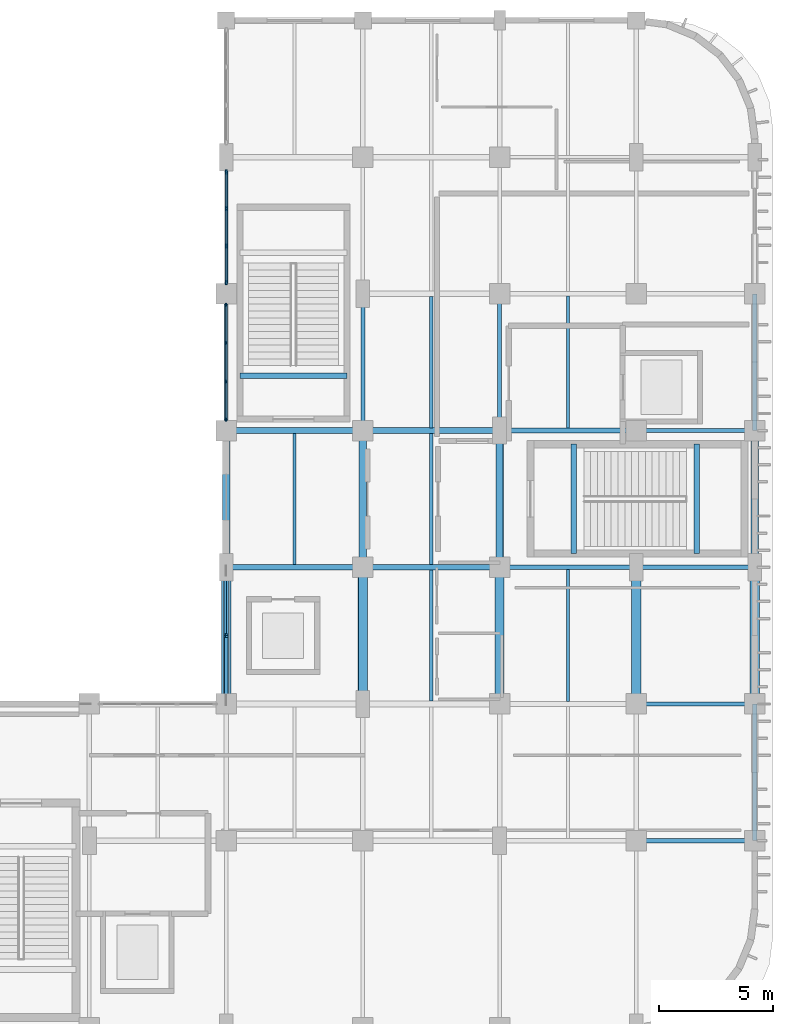
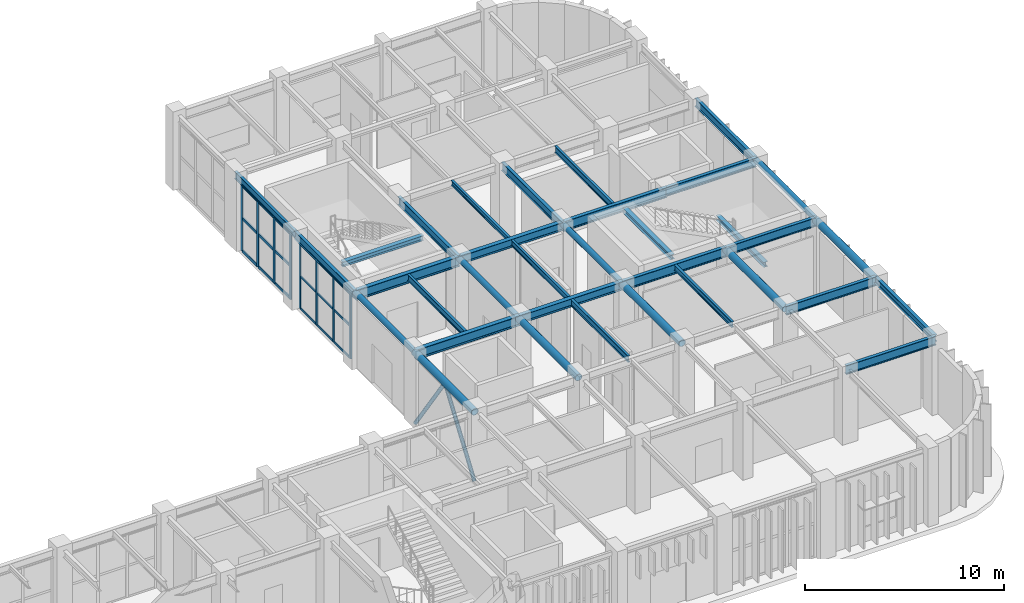
# One storey, part 30 of 76: 34 beams, 28 members, 2 elements without a shape of their own.
"""IFC4 building model written with IfcOpenShell, lengths in metres."""

from ifc_helpers import new_model, si_unit, direction, frame, origin, origin_2d, place, context, subcontext, project, spatial, rectangle, hollow_circle, i_section, extrude, material, material_profile, profile_set, type_object, element, aggregate, save


model = new_model("IFC4")

# Units and contexts
model_context = context("Model", 3, precision=1e-05, world=origin(), true_north=direction((0.0, 1.0)))
body_context = subcontext(model_context, "Body", "Model", "MODEL_VIEW")
ifc_project = project(units=[si_unit("LENGTHUNIT", "METRE"), si_unit("AREAUNIT", "SQUARE_METRE"), si_unit("VOLUMEUNIT", "CUBIC_METRE"), si_unit("PLANEANGLEUNIT", "RADIAN"), si_unit("MASSUNIT", "GRAM", prefix="KILO")], contexts=[model_context])

# Site, building, storey
site_placement = place(None, origin())
site = spatial("IfcSite", under=ifc_project, at=site_placement, CompositionType="ELEMENT")
building_placement = place(site_placement, origin())
building = spatial("IfcBuilding", under=site, at=building_placement, Name="Varnakota Square Police Headquarters", CompositionType="ELEMENT")
storey_placement = place(building_placement, origin())
storey = spatial("IfcBuildingStorey", under=building, at=storey_placement, Name="L00", CompositionType="ELEMENT", Elevation=0.0)

# Beams
ifc_material_1 = material(Name="Steel IS 2062 Grade 350", Category="steel")
ifc_material_profile_1 = material_profile(ifc_material_1, hollow_circle(Radius=0.161865234375, WallThickness=0.0126953125, at=origin_2d()), Name="CHS 323.9x12.7")
ifc_profile_set_1 = profile_set([ifc_material_profile_1], Name="Steel IS 2062 Grade 350")
beam_type_1 = type_object("IfcBeamType", Name="BM-ARC-CHS324", PredefinedType="BEAM", material=ifc_profile_set_1)
for number, where, z_axis, x_axis, name in (
    (1, (138.0, 21.0, 4.337890625), (0.0, 1.0, 0.0), (-1.0, 0.0, 0.0), "BMG-L00-1120"),
    (2, (144.0, 21.0, 4.337890625), (0.0, 1.0, 0.0), (-1.0, 0.0, 0.0), "BMG-L00-1134"),
    (3, (150.0, 21.0, 4.337890625), (0.0, 1.0, 0.0), (-1.0, 0.0, 0.0), "BMG-L00-1148"),
    (4, (161.199951171875, 21.0, 4.337890625), (0.0, 1.0, 0.0), (-1.0, 0.0, 0.0), "BMG-L00-1170"),
):
    element("IfcBeam", number, at=place(storey_placement, frame(where, z_axis=z_axis, x_axis=x_axis)), inside=storey, type_object=beam_type_1, Name=name, PredefinedType="BEAM", context=body_context, shape_type="SweptSolid", body=[
        extrude(hollow_circle(Radius=0.161865234375, WallThickness=0.0126953125, at=origin_2d()), origin(), (0.0, 0.0, 1.0), 6.0),
    ])
ifc_material_profile_2 = material_profile(ifc_material_1, hollow_circle(Radius=0.203125, WallThickness=0.01611328125, at=origin_2d()), Name="CHS 406.4x16.0")
ifc_profile_set_2 = profile_set([ifc_material_profile_2], Name="Steel IS 2062 Grade 350")
beam_type_2 = type_object("IfcBeamType", Name="BM-ARC-CHS406", PredefinedType="BEAM", material=ifc_profile_set_2)
for number, where, z_axis, x_axis, name in (
    (5, (138.0, 15.0, 4.296875), (0.0, 1.0, 0.0), (-1.0, 0.0, 0.0), "BMG-L00-1119"),
    (6, (144.0, 15.0, 4.296875), (0.0, 1.0, 0.0), (-1.0, 0.0, 0.0), "BMG-L00-1133"),
    (7, (150.0, 15.0, 4.296875), (0.0, 1.0, 0.0), (-1.0, 0.0, 0.0), "BMG-L00-1147"),
    (8, (156.0, 15.0, 4.296875), (0.0, 1.0, 0.0), (-1.0, 0.0, 0.0), "BMG-L00-1158"),
    (9, (161.199951171875, 15.0, 4.296875), (0.0, 1.0, 0.0), (-1.0, 0.0, 0.0), "BMG-L00-1169"),
):
    element("IfcBeam", number, at=place(storey_placement, frame(where, z_axis=z_axis, x_axis=x_axis)), inside=storey, type_object=beam_type_2, Name=name, PredefinedType="BEAM", context=body_context, shape_type="SweptSolid", body=[
        extrude(hollow_circle(Radius=0.203125, WallThickness=0.01611328125, at=origin_2d()), origin(), (0.0, 0.0, 1.0), 6.0),
    ])
ifc_material_profile_3 = material_profile(ifc_material_1, i_section(OverallWidth=0.25, OverallDepth=0.300048828125, WebThickness=0.009521484375, FlangeThickness=0.010498046875, FilletRadius=0.011962890625, at=origin_2d()), Name="ISHB 300")
ifc_profile_set_3 = profile_set([ifc_material_profile_3], Name="Steel IS 2062 Grade 350")
beam_type_3 = type_object("IfcBeamType", Name="BM-ISHB300", PredefinedType="BEAM", material=ifc_profile_set_3)
for number, where, z_axis, x_axis, name in (
    (10, (158.650634765625, 21.60009765625, 2.083984375), (0.0, 1.0, 0.0), (-1.0, 0.0, 0.0), "Stair landing support beam BM-LND-0016"),
    (11, (153.25, 21.60009765625, 4.429931640625), (0.0, 1.0, 0.0), (-1.0, 0.0, 0.0), "Stair landing support beam BM-LND-0017"),
):
    element("IfcBeam", number, at=place(storey_placement, frame(where, z_axis=z_axis, x_axis=x_axis)), inside=storey, type_object=beam_type_3, Name=name, PredefinedType="BEAM", context=body_context, shape_type="SweptSolid", body=[
        extrude(i_section(OverallWidth=0.25, OverallDepth=0.300048828125, WebThickness=0.009521484375, FlangeThickness=0.010498046875, FilletRadius=0.011962890625, at=origin_2d()), origin(), (0.0, 0.0, 1.0), 4.7998046875),
    ])
beam_1_placement = place(storey_placement, frame((138.60009765625, 29.400146484375, 4.429931640625), z_axis=(1.0, 0.0, 0.0), x_axis=(0.0, 1.0, 0.0)))
element("IfcBeam", 12, at=beam_1_placement, inside=storey, type_object=beam_type_3, Name="Stair landing support beam BM-LND-0032", PredefinedType="BEAM", context=body_context, shape_type="SweptSolid", body=[
    extrude(i_section(OverallWidth=0.25, OverallDepth=0.300048828125, WebThickness=0.009521484375, FlangeThickness=0.010498046875, FilletRadius=0.011962890625, at=origin_2d()), origin(), (0.0, 0.0, 1.0), 4.699951171875),
])
ifc_material_profile_4 = material_profile(ifc_material_1, i_section(OverallWidth=0.139892578125, OverallDepth=0.300048828125, WebThickness=0.0078125, FlangeThickness=0.01318359375, FilletRadius=0.013916015625, at=origin_2d()), Name="ISMB 300")
ifc_profile_set_4 = profile_set([ifc_material_profile_4], Name="Steel IS 2062 Grade 350")
beam_type_4 = type_object("IfcBeamType", Name="BM-ISMB300", PredefinedType="JOIST", material=ifc_profile_set_4)
beam_2_placement = place(storey_placement, frame((147.0, 27.123046875, 4.35009765625), z_axis=(0.0, 1.0, 0.0), x_axis=(-1.0, 0.0, 0.0)))
element("IfcBeam", 13, at=beam_2_placement, inside=storey, type_object=beam_type_4, Name="BMG-L00-1291", PredefinedType="JOIST", context=body_context, shape_type="SweptSolid", body=[
    extrude(i_section(OverallWidth=0.139892578125, OverallDepth=0.300048828125, WebThickness=0.0078125, FlangeThickness=0.01318359375, FilletRadius=0.013916015625, at=origin_2d()), origin(), (0.0, 0.0, 1.0), 5.75390625),
])
ifc_material_profile_5 = material_profile(ifc_material_1, i_section(OverallWidth=0.139892578125, OverallDepth=0.35009765625, WebThickness=0.008056640625, FlangeThickness=0.01416015625, FilletRadius=0.013916015625, at=origin_2d()), Name="ISMB 350")
ifc_profile_set_5 = profile_set([ifc_material_profile_5], Name="Steel IS 2062 Grade 350")
beam_type_5 = type_object("IfcBeamType", Name="BM-ISMB350", PredefinedType="JOIST", material=ifc_profile_set_5)
beam_3_placement = place(storey_placement, frame((147.0, 21.123046875, 4.324951171875), z_axis=(0.0, 1.0, 0.0), x_axis=(-1.0, 0.0, 0.0)))
element("IfcBeam", 14, at=beam_3_placement, inside=storey, type_object=beam_type_5, Name="BMG-L00-1290", PredefinedType="JOIST", context=body_context, shape_type="SweptSolid", body=[
    extrude(i_section(OverallWidth=0.139892578125, OverallDepth=0.35009765625, WebThickness=0.008056640625, FlangeThickness=0.01416015625, FilletRadius=0.013916015625, at=origin_2d()), origin(), (0.0, 0.0, 1.0), 5.75390625),
])
beam_4_placement = place(storey_placement, frame((153.0, 15.10302734375, 4.324951171875), z_axis=(0.0, 1.0, 0.0), x_axis=(-1.0, 0.0, 0.0)))
element("IfcBeam", 15, at=beam_4_placement, inside=storey, type_object=beam_type_5, Name="BMG-L00-1299", PredefinedType="JOIST", context=body_context, shape_type="SweptSolid", body=[
    extrude(i_section(OverallWidth=0.139892578125, OverallDepth=0.35009765625, WebThickness=0.008056640625, FlangeThickness=0.01416015625, FilletRadius=0.013916015625, at=origin_2d()), origin(), (0.0, 0.0, 1.0), 5.7939453125),
])
ifc_material_profile_6 = material_profile(ifc_material_1, i_section(OverallWidth=0.139892578125, OverallDepth=0.39990234375, WebThickness=0.0087890625, FlangeThickness=0.01611328125, FilletRadius=0.013916015625, at=origin_2d()), Name="ISMB 400")
ifc_profile_set_6 = profile_set([ifc_material_profile_6], Name="Steel IS 2062 Grade 350")
beam_type_6 = type_object("IfcBeamType", Name="BM-ISMB400", PredefinedType="JOIST", material=ifc_profile_set_6)
for number, where, z_axis, x_axis, name in (
    (16, (141.0, 21.123046875, 4.300048828125), (0.0, 1.0, 0.0), (-1.0, 0.0, 0.0), "BMG-L00-1280"),
    (17, (147.0, 15.123046875, 4.300048828125), (0.0, 1.0, 0.0), (-1.0, 0.0, 0.0), "BMG-L00-1289"),
):
    element("IfcBeam", number, at=place(storey_placement, frame(where, z_axis=z_axis, x_axis=x_axis)), inside=storey, type_object=beam_type_6, Name=name, PredefinedType="JOIST", context=body_context, shape_type="SweptSolid", body=[
        extrude(i_section(OverallWidth=0.139892578125, OverallDepth=0.39990234375, WebThickness=0.0087890625, FlangeThickness=0.01611328125, FilletRadius=0.013916015625, at=origin_2d()), origin(), (0.0, 0.0, 1.0), 5.75390625),
    ])
beam_5_placement = place(storey_placement, frame((153.0, 27.10302734375, 4.300048828125), z_axis=(0.0, 1.0, 0.0), x_axis=(-1.0, 0.0, 0.0)))
element("IfcBeam", 18, at=beam_5_placement, inside=storey, type_object=beam_type_6, Name="BMG-L00-1300", PredefinedType="JOIST", context=body_context, shape_type="SweptSolid", body=[
    extrude(i_section(OverallWidth=0.139892578125, OverallDepth=0.39990234375, WebThickness=0.0087890625, FlangeThickness=0.01611328125, FilletRadius=0.013916015625, at=origin_2d()), origin(), (0.0, 0.0, 1.0), 5.7939453125),
])
ifc_material_profile_7 = material_profile(ifc_material_1, i_section(OverallWidth=0.14990234375, OverallDepth=0.449951171875, WebThickness=0.009521484375, FlangeThickness=0.017333984375, FilletRadius=0.014892578125, at=origin_2d()), Name="ISMB 450")
ifc_profile_set_7 = profile_set([ifc_material_profile_7], Name="Steel IS 2062 Grade 350")
beam_type_7 = type_object("IfcBeamType", Name="BM-ISMB450", PredefinedType="BEAM", material=ifc_profile_set_7)
beam_6_placement = place(storey_placement, frame((138.0, 33.0, 4.27490234375), z_axis=(0.0, 1.0, 0.0), x_axis=(-1.0, 0.0, 0.0)))
element("IfcBeam", 19, at=beam_6_placement, inside=storey, type_object=beam_type_7, Name="BMG-L00-1122", PredefinedType="BEAM", context=body_context, shape_type="SweptSolid", body=[
    extrude(i_section(OverallWidth=0.14990234375, OverallDepth=0.449951171875, WebThickness=0.009521484375, FlangeThickness=0.017333984375, FilletRadius=0.014892578125, at=origin_2d()), origin(), (0.0, 0.0, 1.0), 6.0),
])
ifc_material_profile_8 = material_profile(ifc_material_1, i_section(OverallWidth=0.179931640625, OverallDepth=0.5, WebThickness=0.01025390625, FlangeThickness=0.01708984375, FilletRadius=0.01708984375, at=origin_2d()), Name="ISMB 500")
ifc_profile_set_8 = profile_set([ifc_material_profile_8], Name="Steel IS 2062 Grade 350")
beam_type_8 = type_object("IfcBeamType", Name="BM-ISMB500", PredefinedType="BEAM", material=ifc_profile_set_8)
for number, where, z_axis, x_axis, name in (
    (20, (138.0, 27.0, 4.25), (0.0, 1.0, 0.0), (-1.0, 0.0, 0.0), "BMG-L00-1121"),
    (21, (144.0, 27.0, 4.25), (0.0, 1.0, 0.0), (-1.0, 0.0, 0.0), "BMG-L00-1135"),
    (22, (150.0, 27.0, 4.25), (0.0, 1.0, 0.0), (-1.0, 0.0, 0.0), "BMG-L00-1149"),
    (23, (161.199951171875, 27.0, 4.25), (0.0, 1.0, 0.0), (-1.0, 0.0, 0.0), "BMG-L00-1171"),
):
    element("IfcBeam", number, at=place(storey_placement, frame(where, z_axis=z_axis, x_axis=x_axis)), inside=storey, type_object=beam_type_8, Name=name, PredefinedType="BEAM", context=body_context, shape_type="SweptSolid", body=[
        extrude(i_section(OverallWidth=0.179931640625, OverallDepth=0.5, WebThickness=0.01025390625, FlangeThickness=0.01708984375, FilletRadius=0.01708984375, at=origin_2d()), origin(), (0.0, 0.0, 1.0), 6.0),
    ])
ifc_material_profile_9 = material_profile(ifc_material_1, i_section(OverallWidth=0.18994140625, OverallDepth=0.550048828125, WebThickness=0.01123046875, FlangeThickness=0.019287109375, FilletRadius=0.01806640625, at=origin_2d()), Name="ISMB 550")
ifc_profile_set_9 = profile_set([ifc_material_profile_9], Name="Steel IS 2062 Grade 350")
beam_type_9 = type_object("IfcBeamType", Name="BM-ISMB550", PredefinedType="BEAM", material=ifc_profile_set_9)
for number, where, z_axis, x_axis, name in (
    (24, (156.0, 9.0, 4.22509765625), (1.0, 0.0, 0.0), (0.0, 1.0, 0.0), "BMG-L00-0725"),
    (25, (156.0, 15.0, 4.22509765625), (1.0, 0.0, 0.0), (0.0, 1.0, 0.0), "BMG-L00-0742"),
    (26, (156.0, 21.0, 4.22509765625), (1.0, 0.0, 0.0), (0.0, 1.0, 0.0), "BMG-L00-0752"),
    (27, (156.0, 27.0, 4.22509765625), (1.0, 0.0, 0.0), (0.0, 1.0, 0.0), "BMG-L00-0762"),
):
    element("IfcBeam", number, at=place(storey_placement, frame(where, z_axis=z_axis, x_axis=x_axis)), inside=storey, type_object=beam_type_9, Name=name, PredefinedType="BEAM", context=body_context, shape_type="SweptSolid", body=[
        extrude(i_section(OverallWidth=0.18994140625, OverallDepth=0.550048828125, WebThickness=0.01123046875, FlangeThickness=0.019287109375, FilletRadius=0.01806640625, at=origin_2d()), origin(), (0.0, 0.0, 1.0), 5.199951171875),
    ])
ifc_material_profile_10 = material_profile(ifc_material_1, i_section(OverallWidth=0.2099609375, OverallDepth=0.60009765625, WebThickness=0.011962890625, FlangeThickness=0.020751953125, FilletRadius=0.02001953125, at=origin_2d()), Name="ISMB 600")
ifc_profile_set_10 = profile_set([ifc_material_profile_10], Name="Steel IS 2062 Grade 350")
beam_type_10 = type_object("IfcBeamType", Name="BM-ISMB600", PredefinedType="BEAM", material=ifc_profile_set_10)
for number, where, z_axis, x_axis, name in (
    (28, (150.0, 21.0, 4.199951171875), (1.0, 0.0, 0.0), (0.0, 1.0, 0.0), "BMG-L00-0751"),
    (29, (150.0, 27.0, 4.199951171875), (1.0, 0.0, 0.0), (0.0, 1.0, 0.0), "BMG-L00-0761"),
):
    element("IfcBeam", number, at=place(storey_placement, frame(where, z_axis=z_axis, x_axis=x_axis)), inside=storey, type_object=beam_type_10, Name=name, PredefinedType="BEAM", context=body_context, shape_type="SweptSolid", body=[
        extrude(i_section(OverallWidth=0.2099609375, OverallDepth=0.60009765625, WebThickness=0.011962890625, FlangeThickness=0.020751953125, FilletRadius=0.02001953125, at=origin_2d()), origin(), (0.0, 0.0, 1.0), 6.0),
    ])
ifc_material_profile_11 = material_profile(ifc_material_1, i_section(OverallWidth=0.199951171875, OverallDepth=0.39990234375, WebThickness=0.008544921875, FlangeThickness=0.012939453125, FilletRadius=0.012939453125, at=origin_2d()), Name="ISWB 400")
ifc_profile_set_11 = profile_set([ifc_material_profile_11], Name="Steel IS 2062 Grade 350")
beam_type_11 = type_object("IfcBeamType", Name="BM-ISWB400", PredefinedType="BEAM", material=ifc_profile_set_11)
beam_7_placement = place(storey_placement, frame((161.199951171875, 9.0, 4.300048828125), z_axis=(0.0, 1.0, 0.0), x_axis=(-1.0, 0.0, 0.0)))
element("IfcBeam", 30, at=beam_7_placement, inside=storey, type_object=beam_type_11, Name="BMG-L00-1168", PredefinedType="BEAM", context=body_context, shape_type="SweptSolid", body=[
    extrude(i_section(OverallWidth=0.199951171875, OverallDepth=0.39990234375, WebThickness=0.008544921875, FlangeThickness=0.012939453125, FilletRadius=0.012939453125, at=origin_2d()), origin(), (0.0, 0.0, 1.0), 6.0),
])
ifc_material_profile_12 = material_profile(ifc_material_1, i_section(OverallWidth=0.25, OverallDepth=0.5, WebThickness=0.010009765625, FlangeThickness=0.0146484375, FilletRadius=0.014892578125, at=origin_2d()), Name="ISWB 500")
ifc_profile_set_12 = profile_set([ifc_material_profile_12], Name="Steel IS 2062 Grade 350")
beam_type_12 = type_object("IfcBeamType", Name="BM-ISWB500", PredefinedType="BEAM", material=ifc_profile_set_12)
for number, where, z_axis, x_axis, name in (
    (31, (144.0, 21.0, 4.25), (1.0, 0.0, 0.0), (0.0, 1.0, 0.0), "BMG-L00-0750"),
    (32, (144.0, 27.0, 4.25), (1.0, 0.0, 0.0), (0.0, 1.0, 0.0), "BMG-L00-0760"),
):
    element("IfcBeam", number, at=place(storey_placement, frame(where, z_axis=z_axis, x_axis=x_axis)), inside=storey, type_object=beam_type_12, Name=name, PredefinedType="BEAM", context=body_context, shape_type="SweptSolid", body=[
        extrude(i_section(OverallWidth=0.25, OverallDepth=0.5, WebThickness=0.010009765625, FlangeThickness=0.0146484375, FilletRadius=0.014892578125, at=origin_2d()), origin(), (0.0, 0.0, 1.0), 6.0),
    ])
ifc_material_profile_13 = material_profile(ifc_material_1, i_section(OverallWidth=0.25, OverallDepth=0.60009765625, WebThickness=0.01171875, FlangeThickness=0.023681640625, FilletRadius=0.01708984375, at=origin_2d()), Name="ISWB 600")
ifc_profile_set_13 = profile_set([ifc_material_profile_13], Name="Steel IS 2062 Grade 350")
beam_type_13 = type_object("IfcBeamType", Name="BM-ISWB600", PredefinedType="BEAM", material=ifc_profile_set_13)
for number, where, z_axis, x_axis, name in (
    (33, (138.0, 21.0, 4.199951171875), (1.0, 0.0, 0.0), (0.0, 1.0, 0.0), "BMG-L00-0749"),
    (34, (138.0, 27.0, 4.199951171875), (1.0, 0.0, 0.0), (0.0, 1.0, 0.0), "BMG-L00-0759"),
):
    element("IfcBeam", number, at=place(storey_placement, frame(where, z_axis=z_axis, x_axis=x_axis)), inside=storey, type_object=beam_type_13, Name=name, PredefinedType="BEAM", context=body_context, shape_type="SweptSolid", body=[
        extrude(i_section(OverallWidth=0.25, OverallDepth=0.60009765625, WebThickness=0.01171875, FlangeThickness=0.023681640625, FilletRadius=0.01708984375, at=origin_2d()), origin(), (0.0, 0.0, 1.0), 6.0),
    ])

# Curtain wall, members
ifc_material_2 = material(Name="Anodised Aluminium Framing", Category="aluminium")
curtain_wall_type = type_object("IfcCurtainWallType", Name="CW-SYS-E", PredefinedType="NOTDEFINED", material=ifc_material_2)
curtain_wall_1_placement = place(storey_placement, origin())
curtain_wall_1 = element("IfcCurtainWall", 35, at=curtain_wall_1_placement, inside=storey, type_object=curtain_wall_type, Name="Unitised curtain wall CWG-L00-052", PredefinedType="NOTDEFINED")
ifc_material_3 = material(Name="Anodised Aluminium 6063-T6", Category="aluminium")
ifc_material_profile_14 = material_profile(ifc_material_3, rectangle(XDim=0.06494140625, YDim=0.159912109375, at=origin_2d()), Name="ALU MULLION 65x160")
ifc_profile_set_14 = profile_set([ifc_material_profile_14], Name="Anodised Aluminium 6063-T6")
member_type_1 = type_object("IfcMemberType", Name="CWM-150", PredefinedType="MULLION", material=ifc_profile_set_14)
member_1_placement = place(storey_placement, frame((138.0, 27.487548828125, 0.0), z_axis=(0.0, 0.0, 1.0), x_axis=(-1.0, 0.0, 0.0)))
member_1 = element("IfcMember", 36, at=member_1_placement, type_object=member_type_1, Name="CWG-L00-052 mullion 1", PredefinedType="MULLION", context=body_context, shape_type="SweptSolid", body=[
    extrude(rectangle(XDim=0.06494140625, YDim=0.159912109375, at=origin_2d()), origin(), (0.0, 0.0, 1.0), 3.989990234375),
])
member_2_placement = place(storey_placement, frame((138.0, 29.151611328125, 0.0), z_axis=(0.0, 0.0, 1.0), x_axis=(-1.0, 0.0, 0.0)))
member_2 = element("IfcMember", 37, at=member_2_placement, type_object=member_type_1, Name="CWG-L00-052 mullion 2", PredefinedType="MULLION", context=body_context, shape_type="SweptSolid", body=[
    extrude(rectangle(XDim=0.06494140625, YDim=0.159912109375, at=origin_2d()), origin(), (0.0, 0.0, 1.0), 3.989990234375),
])
member_3_placement = place(storey_placement, frame((138.0, 30.848388671875, 0.0), z_axis=(0.0, 0.0, 1.0), x_axis=(-1.0, 0.0, 0.0)))
member_3 = element("IfcMember", 38, at=member_3_placement, type_object=member_type_1, Name="CWG-L00-052 mullion 3", PredefinedType="MULLION", context=body_context, shape_type="SweptSolid", body=[
    extrude(rectangle(XDim=0.06494140625, YDim=0.159912109375, at=origin_2d()), origin(), (0.0, 0.0, 1.0), 3.989990234375),
])
member_4_placement = place(storey_placement, frame((138.0, 32.512451171875, 0.0), z_axis=(0.0, 0.0, 1.0), x_axis=(-1.0, 0.0, 0.0)))
member_4 = element("IfcMember", 39, at=member_4_placement, type_object=member_type_1, Name="CWG-L00-052 mullion 4", PredefinedType="MULLION", context=body_context, shape_type="SweptSolid", body=[
    extrude(rectangle(XDim=0.06494140625, YDim=0.159912109375, at=origin_2d()), origin(), (0.0, 0.0, 1.0), 3.989990234375),
])

curtain_wall_2_placement = place(storey_placement, origin())
curtain_wall_2 = element("IfcCurtainWall", 40, at=curtain_wall_2_placement, inside=storey, type_object=curtain_wall_type, Name="Unitised curtain wall CWG-L00-053", PredefinedType="NOTDEFINED")
ifc_material_profile_15 = material_profile(ifc_material_3, rectangle(XDim=0.074951171875, YDim=0.199951171875, at=origin_2d()), Name="ALU MULLION 75x200")
ifc_profile_set_15 = profile_set([ifc_material_profile_15], Name="Anodised Aluminium 6063-T6")
member_type_2 = type_object("IfcMemberType", Name="CWM-180", PredefinedType="MULLION", material=ifc_profile_set_15)
member_5_placement = place(storey_placement, frame((138.0, 33.492431640625, 0.0), z_axis=(0.0, 0.0, 1.0), x_axis=(-1.0, 0.0, 0.0)))
member_5 = element("IfcMember", 41, at=member_5_placement, type_object=member_type_2, Name="CWG-L00-053 mullion 1", PredefinedType="MULLION", context=body_context, shape_type="SweptSolid", body=[
    extrude(rectangle(XDim=0.074951171875, YDim=0.199951171875, at=origin_2d()), origin(), (0.0, 0.0, 1.0), 4.0400390625),
])
member_6_placement = place(storey_placement, frame((138.0, 35.1015625, 0.0), z_axis=(0.0, 0.0, 1.0), x_axis=(-1.0, 0.0, 0.0)))
member_6 = element("IfcMember", 42, at=member_6_placement, type_object=member_type_2, Name="CWG-L00-053 mullion 2", PredefinedType="MULLION", context=body_context, shape_type="SweptSolid", body=[
    extrude(rectangle(XDim=0.074951171875, YDim=0.199951171875, at=origin_2d()), origin(), (0.0, 0.0, 1.0), 4.0400390625),
])
member_7_placement = place(storey_placement, frame((138.0, 36.748291015625, 0.0), z_axis=(0.0, 0.0, 1.0), x_axis=(-1.0, 0.0, 0.0)))
member_7 = element("IfcMember", 43, at=member_7_placement, type_object=member_type_2, Name="CWG-L00-053 mullion 3", PredefinedType="MULLION", context=body_context, shape_type="SweptSolid", body=[
    extrude(rectangle(XDim=0.074951171875, YDim=0.199951171875, at=origin_2d()), origin(), (0.0, 0.0, 1.0), 4.0400390625),
])
member_8_placement = place(storey_placement, frame((138.0, 38.357421875, 0.0), z_axis=(0.0, 0.0, 1.0), x_axis=(-1.0, 0.0, 0.0)))
member_8 = element("IfcMember", 44, at=member_8_placement, type_object=member_type_2, Name="CWG-L00-053 mullion 4", PredefinedType="MULLION", context=body_context, shape_type="SweptSolid", body=[
    extrude(rectangle(XDim=0.074951171875, YDim=0.199951171875, at=origin_2d()), origin(), (0.0, 0.0, 1.0), 4.0400390625),
])

# Member
ifc_material_profile_16 = material_profile(ifc_material_3, rectangle(XDim=0.06494140625, YDim=0.1298828125, at=origin_2d()), Name="ALU TRANSOM 65x130")
ifc_profile_set_16 = profile_set([ifc_material_profile_16], Name="Anodised Aluminium 6063-T6")
member_type_3 = type_object("IfcMemberType", Name="CWT-120", PredefinedType="USERDEFINED", material=ifc_profile_set_16)
member_9_placement = place(storey_placement, frame((138.0, 27.52001953125, 0.032470703125), z_axis=(0.0, 1.0, 0.0), x_axis=(-1.0, 0.0, 0.0)))
member_9 = element("IfcMember", 45, at=member_9_placement, type_object=member_type_3, Name="CWG-L00-052 transom 1.1", ObjectType="TRANSOM", PredefinedType="USERDEFINED", context=body_context, shape_type="SweptSolid", body=[
    extrude(rectangle(XDim=0.06494140625, YDim=0.1298828125, at=origin_2d()), origin(), (0.0, 0.0, 1.0), 1.59912109375),
])

member_10_placement = place(storey_placement, frame((138.0, 27.52001953125, 1.9951171875), z_axis=(0.0, 1.0, 0.0), x_axis=(-1.0, 0.0, 0.0)))
member_10 = element("IfcMember", 46, at=member_10_placement, type_object=member_type_3, Name="CWG-L00-052 transom 1.2", ObjectType="TRANSOM", PredefinedType="USERDEFINED", context=body_context, shape_type="SweptSolid", body=[
    extrude(rectangle(XDim=0.06494140625, YDim=0.1298828125, at=origin_2d()), origin(), (0.0, 0.0, 1.0), 1.59912109375),
])

member_11_placement = place(storey_placement, frame((138.0, 27.52001953125, 3.95751953125), z_axis=(0.0, 1.0, 0.0), x_axis=(-1.0, 0.0, 0.0)))
member_11 = element("IfcMember", 47, at=member_11_placement, type_object=member_type_3, Name="CWG-L00-052 transom 1.3", ObjectType="TRANSOM", PredefinedType="USERDEFINED", context=body_context, shape_type="SweptSolid", body=[
    extrude(rectangle(XDim=0.06494140625, YDim=0.1298828125, at=origin_2d()), origin(), (0.0, 0.0, 1.0), 1.59912109375),
])

member_12_placement = place(storey_placement, frame((138.0, 29.18408203125, 0.032470703125), z_axis=(0.0, 1.0, 0.0), x_axis=(-1.0, 0.0, 0.0)))
member_12 = element("IfcMember", 48, at=member_12_placement, type_object=member_type_3, Name="CWG-L00-052 transom 2.1", ObjectType="TRANSOM", PredefinedType="USERDEFINED", context=body_context, shape_type="SweptSolid", body=[
    extrude(rectangle(XDim=0.06494140625, YDim=0.1298828125, at=origin_2d()), origin(), (0.0, 0.0, 1.0), 1.6318359375),
])

member_13_placement = place(storey_placement, frame((138.0, 29.18408203125, 1.9951171875), z_axis=(0.0, 1.0, 0.0), x_axis=(-1.0, 0.0, 0.0)))
member_13 = element("IfcMember", 49, at=member_13_placement, type_object=member_type_3, Name="CWG-L00-052 transom 2.2", ObjectType="TRANSOM", PredefinedType="USERDEFINED", context=body_context, shape_type="SweptSolid", body=[
    extrude(rectangle(XDim=0.06494140625, YDim=0.1298828125, at=origin_2d()), origin(), (0.0, 0.0, 1.0), 1.6318359375),
])

member_14_placement = place(storey_placement, frame((138.0, 29.18408203125, 3.95751953125), z_axis=(0.0, 1.0, 0.0), x_axis=(-1.0, 0.0, 0.0)))
member_14 = element("IfcMember", 50, at=member_14_placement, type_object=member_type_3, Name="CWG-L00-052 transom 2.3", ObjectType="TRANSOM", PredefinedType="USERDEFINED", context=body_context, shape_type="SweptSolid", body=[
    extrude(rectangle(XDim=0.06494140625, YDim=0.1298828125, at=origin_2d()), origin(), (0.0, 0.0, 1.0), 1.6318359375),
])

member_15_placement = place(storey_placement, frame((138.0, 30.880859375, 0.032470703125), z_axis=(0.0, 1.0, 0.0), x_axis=(-1.0, 0.0, 0.0)))
member_15 = element("IfcMember", 51, at=member_15_placement, type_object=member_type_3, Name="CWG-L00-052 transom 3.1", ObjectType="TRANSOM", PredefinedType="USERDEFINED", context=body_context, shape_type="SweptSolid", body=[
    extrude(rectangle(XDim=0.06494140625, YDim=0.1298828125, at=origin_2d()), origin(), (0.0, 0.0, 1.0), 1.59912109375),
])

member_16_placement = place(storey_placement, frame((138.0, 30.880859375, 1.9951171875), z_axis=(0.0, 1.0, 0.0), x_axis=(-1.0, 0.0, 0.0)))
member_16 = element("IfcMember", 52, at=member_16_placement, type_object=member_type_3, Name="CWG-L00-052 transom 3.2", ObjectType="TRANSOM", PredefinedType="USERDEFINED", context=body_context, shape_type="SweptSolid", body=[
    extrude(rectangle(XDim=0.06494140625, YDim=0.1298828125, at=origin_2d()), origin(), (0.0, 0.0, 1.0), 1.59912109375),
])

member_17_placement = place(storey_placement, frame((138.0, 30.880859375, 3.95751953125), z_axis=(0.0, 1.0, 0.0), x_axis=(-1.0, 0.0, 0.0)))
member_17 = element("IfcMember", 53, at=member_17_placement, type_object=member_type_3, Name="CWG-L00-052 transom 3.3", ObjectType="TRANSOM", PredefinedType="USERDEFINED", context=body_context, shape_type="SweptSolid", body=[
    extrude(rectangle(XDim=0.06494140625, YDim=0.1298828125, at=origin_2d()), origin(), (0.0, 0.0, 1.0), 1.59912109375),
])

aggregate(curtain_wall_1, [member_1, member_2, member_3, member_4, member_9, member_10, member_11, member_12, member_13, member_14, member_15, member_16, member_17])

ifc_material_profile_17 = material_profile(ifc_material_3, rectangle(XDim=0.074951171875, YDim=0.159912109375, at=origin_2d()), Name="ALU TRANSOM 75x160")
ifc_profile_set_17 = profile_set([ifc_material_profile_17], Name="Anodised Aluminium 6063-T6")
member_type_4 = type_object("IfcMemberType", Name="CWT-150", PredefinedType="USERDEFINED", material=ifc_profile_set_17)
member_18_placement = place(storey_placement, frame((138.0, 33.530029296875, 0.03759765625), z_axis=(0.0, 1.0, 0.0), x_axis=(-1.0, 0.0, 0.0)))
member_18 = element("IfcMember", 54, at=member_18_placement, type_object=member_type_4, Name="CWG-L00-053 transom 1.1", ObjectType="TRANSOM", PredefinedType="USERDEFINED", context=body_context, shape_type="SweptSolid", body=[
    extrude(rectangle(XDim=0.074951171875, YDim=0.159912109375, at=origin_2d()), origin(), (0.0, 0.0, 1.0), 1.5341796875),
])

member_19_placement = place(storey_placement, frame((138.0, 33.530029296875, 2.02001953125), z_axis=(0.0, 1.0, 0.0), x_axis=(-1.0, 0.0, 0.0)))
member_19 = element("IfcMember", 55, at=member_19_placement, type_object=member_type_4, Name="CWG-L00-053 transom 1.2", ObjectType="TRANSOM", PredefinedType="USERDEFINED", context=body_context, shape_type="SweptSolid", body=[
    extrude(rectangle(XDim=0.074951171875, YDim=0.159912109375, at=origin_2d()), origin(), (0.0, 0.0, 1.0), 1.5341796875),
])

member_20_placement = place(storey_placement, frame((138.0, 33.530029296875, 4.00244140625), z_axis=(0.0, 1.0, 0.0), x_axis=(-1.0, 0.0, 0.0)))
member_20 = element("IfcMember", 56, at=member_20_placement, type_object=member_type_4, Name="CWG-L00-053 transom 1.3", ObjectType="TRANSOM", PredefinedType="USERDEFINED", context=body_context, shape_type="SweptSolid", body=[
    extrude(rectangle(XDim=0.074951171875, YDim=0.159912109375, at=origin_2d()), origin(), (0.0, 0.0, 1.0), 1.5341796875),
])

member_21_placement = place(storey_placement, frame((138.0, 35.13916015625, 0.03759765625), z_axis=(0.0, 1.0, 0.0), x_axis=(-1.0, 0.0, 0.0)))
member_21 = element("IfcMember", 57, at=member_21_placement, type_object=member_type_4, Name="CWG-L00-053 transom 2.1", ObjectType="TRANSOM", PredefinedType="USERDEFINED", context=body_context, shape_type="SweptSolid", body=[
    extrude(rectangle(XDim=0.074951171875, YDim=0.159912109375, at=origin_2d()), origin(), (0.0, 0.0, 1.0), 1.57177734375),
])

member_22_placement = place(storey_placement, frame((138.0, 35.13916015625, 2.02001953125), z_axis=(0.0, 1.0, 0.0), x_axis=(-1.0, 0.0, 0.0)))
member_22 = element("IfcMember", 58, at=member_22_placement, type_object=member_type_4, Name="CWG-L00-053 transom 2.2", ObjectType="TRANSOM", PredefinedType="USERDEFINED", context=body_context, shape_type="SweptSolid", body=[
    extrude(rectangle(XDim=0.074951171875, YDim=0.159912109375, at=origin_2d()), origin(), (0.0, 0.0, 1.0), 1.57177734375),
])

member_23_placement = place(storey_placement, frame((138.0, 35.13916015625, 4.00244140625), z_axis=(0.0, 1.0, 0.0), x_axis=(-1.0, 0.0, 0.0)))
member_23 = element("IfcMember", 59, at=member_23_placement, type_object=member_type_4, Name="CWG-L00-053 transom 2.3", ObjectType="TRANSOM", PredefinedType="USERDEFINED", context=body_context, shape_type="SweptSolid", body=[
    extrude(rectangle(XDim=0.074951171875, YDim=0.159912109375, at=origin_2d()), origin(), (0.0, 0.0, 1.0), 1.57177734375),
])

member_24_placement = place(storey_placement, frame((138.0, 36.785888671875, 0.03759765625), z_axis=(0.0, 1.0, 0.0), x_axis=(-1.0, 0.0, 0.0)))
member_24 = element("IfcMember", 60, at=member_24_placement, type_object=member_type_4, Name="CWG-L00-053 transom 3.1", ObjectType="TRANSOM", PredefinedType="USERDEFINED", context=body_context, shape_type="SweptSolid", body=[
    extrude(rectangle(XDim=0.074951171875, YDim=0.159912109375, at=origin_2d()), origin(), (0.0, 0.0, 1.0), 1.5341796875),
])

member_25_placement = place(storey_placement, frame((138.0, 36.785888671875, 2.02001953125), z_axis=(0.0, 1.0, 0.0), x_axis=(-1.0, 0.0, 0.0)))
member_25 = element("IfcMember", 61, at=member_25_placement, type_object=member_type_4, Name="CWG-L00-053 transom 3.2", ObjectType="TRANSOM", PredefinedType="USERDEFINED", context=body_context, shape_type="SweptSolid", body=[
    extrude(rectangle(XDim=0.074951171875, YDim=0.159912109375, at=origin_2d()), origin(), (0.0, 0.0, 1.0), 1.5341796875),
])

member_26_placement = place(storey_placement, frame((138.0, 36.785888671875, 4.00244140625), z_axis=(0.0, 1.0, 0.0), x_axis=(-1.0, 0.0, 0.0)))
member_26 = element("IfcMember", 62, at=member_26_placement, type_object=member_type_4, Name="CWG-L00-053 transom 3.3", ObjectType="TRANSOM", PredefinedType="USERDEFINED", context=body_context, shape_type="SweptSolid", body=[
    extrude(rectangle(XDim=0.074951171875, YDim=0.159912109375, at=origin_2d()), origin(), (0.0, 0.0, 1.0), 1.5341796875),
])

aggregate(curtain_wall_2, [member_5, member_6, member_7, member_8, member_18, member_19, member_20, member_21, member_22, member_23, member_24, member_25, member_26])

# Members
ifc_material_profile_18 = material_profile(ifc_material_1, hollow_circle(Radius=0.109619140625, WallThickness=0.008056640625, at=origin_2d()), Name="CHS 219.1x8.0")
ifc_profile_set_18 = profile_set([ifc_material_profile_18], Name="Steel IS 2062 Grade 350")
member_type_5 = type_object("IfcMemberType", Name="MEM-BR-CHS219", PredefinedType="BRACE", material=ifc_profile_set_18)
for number, where, z_axis, x_axis, name in (
    (63, (138.0, 15.050048828125, 0.02001953125), (0.0, 0.57202533685, 0.8202359502), (-1.0, 0.0, 0.0), "Lateral brace BF2 L00 left"),
    (64, (138.0, 20.949951171875, 0.02001953125), (0.0, -0.57202533685, 0.8202359502), (1.0, 0.0, 0.0), "Lateral brace BF2 L00 right"),
):
    element("IfcMember", number, at=place(storey_placement, frame(where, z_axis=z_axis, x_axis=x_axis)), inside=storey, type_object=member_type_5, Name=name, PredefinedType="BRACE", context=body_context, shape_type="SweptSolid", body=[
        extrude(hollow_circle(Radius=0.109619140625, WallThickness=0.008056640625, at=origin_2d()), origin(), (0.0, 0.0, 1.0), 5.156982421875),
    ])

save(model, "model.ifc")
